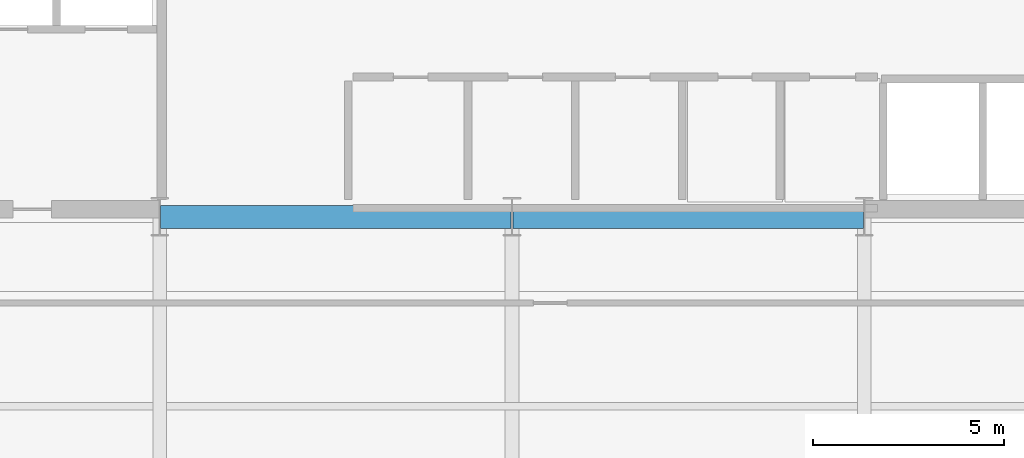
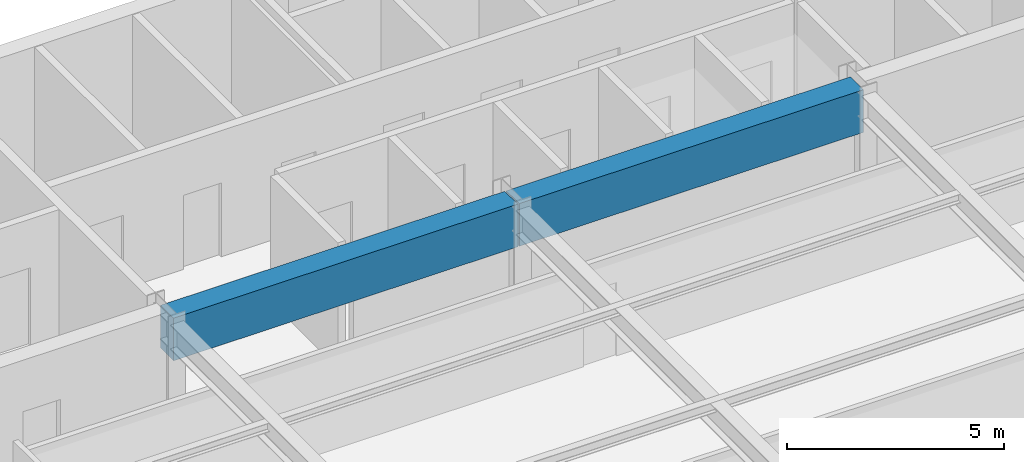
# One storey, part 23 of 34: 2 beams.
"""IFC4 building model written with IfcOpenShell, lengths in metres."""

from ifc_helpers import new_model, si_unit, direction, frame, origin, origin_2d, place, context, subcontext, project, spatial, rectangle, extrude, source, transform, mapped, material, material_profile, profile_set, type_object, type_shapes, element, save


model = new_model("IFC4")

# Units and contexts
model_context = context("Model", 3, precision=1e-05, world=origin(), true_north=direction((0.0, 1.0)))
body_context = subcontext(model_context, "Body", "Model", "MODEL_VIEW")
ifc_project = project(units=[si_unit("LENGTHUNIT", "METRE"), si_unit("AREAUNIT", "SQUARE_METRE"), si_unit("VOLUMEUNIT", "CUBIC_METRE"), si_unit("PLANEANGLEUNIT", "RADIAN"), si_unit("MASSUNIT", "GRAM", prefix="KILO")], contexts=[model_context])

# Site, building, storey
site_placement = place(None, origin())
site = spatial("IfcSite", under=ifc_project, at=site_placement, CompositionType="ELEMENT")
building_placement = place(site_placement, origin())
building = spatial("IfcBuilding", under=site, at=building_placement, Name="Varnel Quay Broadcast Tower", CompositionType="ELEMENT")
storey_placement = place(building_placement, frame((0.0, 0.0, 110.60009765625)))
storey = spatial("IfcBuildingStorey", under=building, at=storey_placement, Name="L26", CompositionType="ELEMENT", Elevation=110.60009765625)

# Beams
ifc_material = material(Name="Concrete CSA A23.3 C60/75", Category="concrete")
ifc_material_profile = material_profile(ifc_material, rectangle(XDim=0.60009765625, YDim=1.199951171875, at=origin_2d()), Name="RC600X1200")
ifc_profile_set = profile_set([ifc_material_profile], Name="Concrete CSA A23.3 C60/75")
beam_type = type_object("IfcBeamType", Name="Beam_RC600X1200", PredefinedType="BEAM", material=ifc_profile_set)
shared_shape = source(origin(), body_context, "Body", "SweptSolid", [
    extrude(rectangle(XDim=0.60009765625, YDim=1.199951171875, at=origin_2d()), origin(), (0.0, 0.0, 1.0), 9.159912109375),
])
type_shapes(beam_type, [shared_shape])
for number, where, z_axis, x_axis, name in (
    (1, (24.820068359375, 35.60009765625, 2.949951171875), (1.0, 0.0, 0.0), (0.0, 1.0, 0.0), "L26 Core Coupling Beam W"),
    (2, (34.02001953125, 35.60009765625, 2.949951171875), (1.0, 0.0, 0.0), (0.0, 1.0, 0.0), "L26 Core Coupling Beam E"),
):
    element("IfcBeam", number, at=place(storey_placement, frame(where, z_axis=z_axis, x_axis=x_axis)), inside=storey, type_object=beam_type, Name=name, PredefinedType="BEAM", context=body_context, shape_type="MappedRepresentation", body=[
        mapped(shared_shape, transform((0.0, 0.0, 0.0), x_axis=(1.0, 0.0, 0.0), y_axis=(0.0, 1.0, 0.0), z_axis=(0.0, 0.0, 1.0), scale=1.0)),
    ])

save(model, "model.ifc")
